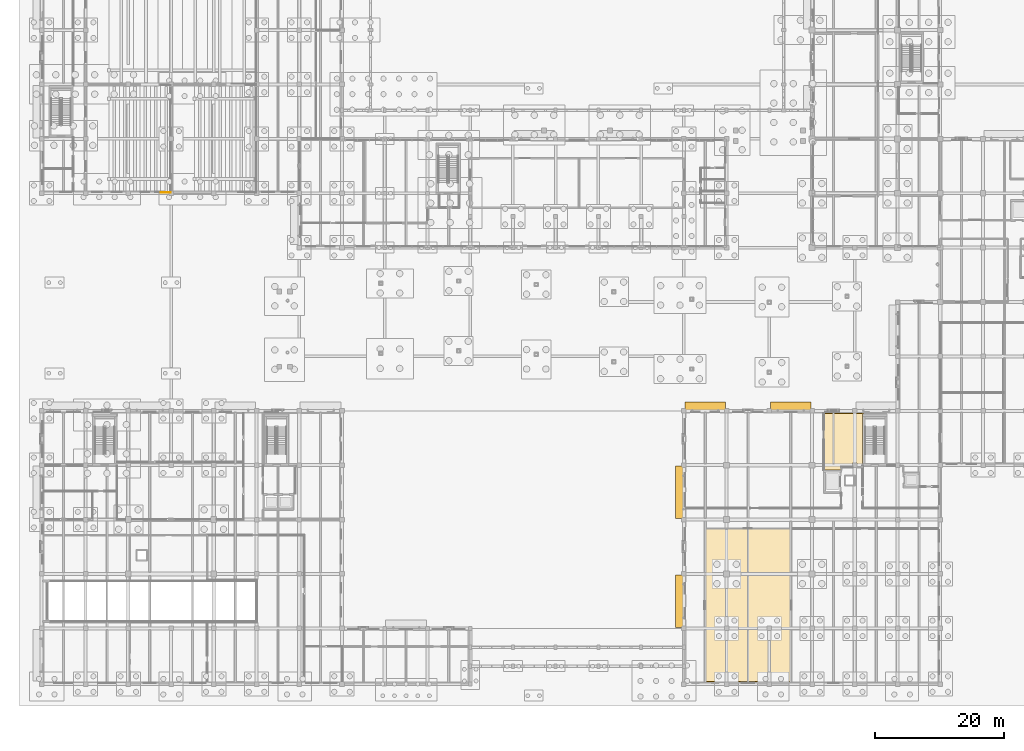
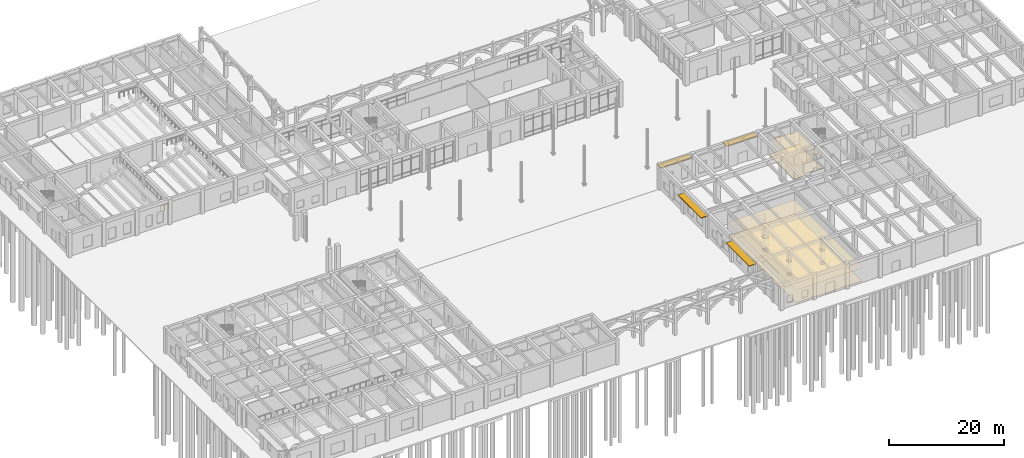
# One storey, part 74 of 82: 4 coverings, 4 shading devices, 1 railing.
"""IFC4 building model written with IfcOpenShell, lengths in metres."""

from ifc_helpers import new_model, si_unit, direction, frame, origin, origin_2d, place, context, subcontext, project, spatial, polyline, rectangle, circle, outline, extrude, material, layer, layer_set, type_object, element, save


model = new_model("IFC4")

# Units and contexts
model_context = context("Model", 3, precision=1e-05, world=origin(), true_north=direction((0.0, 1.0)))
body_context = subcontext(model_context, "Body", "Model", "MODEL_VIEW")
ifc_project = project(units=[si_unit("LENGTHUNIT", "METRE"), si_unit("AREAUNIT", "SQUARE_METRE"), si_unit("VOLUMEUNIT", "CUBIC_METRE"), si_unit("PLANEANGLEUNIT", "RADIAN"), si_unit("MASSUNIT", "GRAM", prefix="KILO")], contexts=[model_context])

# Site, building, storey
site_placement = place(None, origin())
site = spatial("IfcSite", under=ifc_project, at=site_placement, CompositionType="ELEMENT")
building_placement = place(site_placement, origin())
building = spatial("IfcBuilding", under=site, at=building_placement, Name="Kolvaren Faculty of Natural Sciences", CompositionType="ELEMENT")
storey_placement = place(building_placement, origin())
storey = spatial("IfcBuildingStorey", under=building, at=storey_placement, Name="L00", CompositionType="ELEMENT", Elevation=0.0)

# Coverings
ifc_material_1 = material(Name="Perforated mineral-fibre acoustic suspended ceiling tile")
ifc_layer_1 = layer(ifc_material_1, 0.02490234375)
ifc_layer_set_1 = layer_set([ifc_layer_1], Name="Perforated mineral-fibre acoustic suspended ceiling tile")
covering_type_1 = type_object("IfcCoveringType", Name="AcousticSuspendedCeiling_25", PredefinedType="CEILING", material=ifc_layer_set_1)
covering_1_placement = place(storey_placement, frame((0.0, 0.0, 2.824951171875)))
element("IfcCovering", 1, at=covering_1_placement, inside=storey, type_object=covering_type_1, Name="L00 L00 Computational Science Studio acoustic ceiling", PredefinedType="CEILING", context=body_context, shape_type="SweptSolid", body=[
    extrude(outline(polyline([(112.75, 0.260009765625), (112.75, 0.35009765625), (112.050048828125, 0.35009765625), (112.050048828125, 0.260009765625), (106.14990234375, 0.260009765625), (106.14990234375, 0.35009765625), (105.449951171875, 0.35009765625), (105.449951171875, 0.260009765625), (102.320068359375, 0.260009765625), (102.320068359375, 24.080078125), (115.8798828125, 24.080078125), (115.8798828125, 0.260009765625), (112.75, 0.260009765625)]), holes=[polyline([(106.14990234375, 8.949951171875), (105.449951171875, 8.949951171875), (105.449951171875, 8.25), (106.14990234375, 8.25), (106.14990234375, 8.949951171875)]), polyline([(106.25, 17.449951171875), (105.35009765625, 17.449951171875), (105.35009765625, 16.550048828125), (106.25, 16.550048828125), (106.25, 17.449951171875)]), polyline([(112.050048828125, 8.949951171875), (112.050048828125, 8.25), (112.75, 8.25), (112.75, 8.949951171875), (112.050048828125, 8.949951171875)])]), origin(), (0.0, 0.0, 1.0), 0.025146484375),
])
covering_2_placement = place(storey_placement, frame((0.0, 0.0, 2.824951171875)))
element("IfcCovering", 2, at=covering_2_placement, inside=storey, type_object=covering_type_1, Name="L00 L00 Clean Calibration Preparation Room acoustic ceiling", PredefinedType="CEILING", context=body_context, shape_type="SweptSolid", body=[
    extrude(outline(polyline([(125.25, 41.93994140625), (125.25, 41.85009765625), (125.949951171875, 41.85009765625), (125.949951171875, 41.93994140625), (126.929931640625, 41.93994140625), (126.929931640625, 41.594970703125), (126.905029296875, 41.594970703125), (126.905029296875, 33.780029296875), (126.929931640625, 33.780029296875), (126.929931640625, 33.419921875), (123.580078125, 33.419921875), (123.580078125, 32.919921875), (120.719970703125, 32.919921875), (120.719970703125, 41.93994140625), (125.25, 41.93994140625)]), holes=[polyline([(125.949951171875, 34.14990234375), (125.25, 34.14990234375), (125.25, 33.449951171875), (125.949951171875, 33.449951171875), (125.949951171875, 34.14990234375)])]), origin(), (0.0, 0.0, 1.0), 0.025146484375),
])

# Shading devices
ifc_material_2 = material(Name="Precast concrete C35/45", Category="concrete")
ifc_layer_2 = layer(ifc_material_2, 0.1201171875)
ifc_layer_set_2 = layer_set([ifc_layer_2], Name="Precast concrete C35/45")
shading_device_type = type_object("IfcShadingDeviceType", Name="ChhajjaSolarHood_1350", PredefinedType="AWNING", material=ifc_layer_set_2)
for number, where, z_axis, x_axis, name in (
    (3, (98.544921875, 12.800048828125, 4.294921875), (0.0, 0.0, 1.0), (0.0, 1.0, 0.0), "L00 precast sandstone chhajja solar hood 23"),
    (4, (98.544921875, 29.60009765625, 4.294921875), (0.0, 0.0, 1.0), (0.0, 1.0, 0.0), "L00 precast sandstone chhajja solar hood 24"),
):
    element("IfcShadingDevice", number, at=place(storey_placement, frame(where, z_axis=z_axis, x_axis=x_axis)), inside=storey, type_object=shading_device_type, Name=name, PredefinedType="AWNING", context=body_context, shape_type="SweptSolid", body=[
        extrude(rectangle(XDim=8.10009765625, YDim=1.35009765625, at=origin_2d()), origin(), (0.0, 0.0, 1.0), 0.1201171875),
    ])
for number, where, z_axis, x_axis, name in (
    (5, (102.5, 42.85498046875, 4.294921875), (0.0, 0.0, 1.0), (1.0, 0.0, 0.0), "L00 precast sandstone chhajja solar hood 25"),
    (6, (115.699951171875, 42.85498046875, 4.294921875), (0.0, 0.0, 1.0), (1.0, 0.0, 0.0), "L00 precast sandstone chhajja solar hood 26"),
):
    element("IfcShadingDevice", number, at=place(storey_placement, frame(where, z_axis=z_axis, x_axis=x_axis)), inside=storey, type_object=shading_device_type, Name=name, PredefinedType="AWNING", context=body_context, shape_type="SweptSolid", body=[
        extrude(rectangle(XDim=6.300048828125, YDim=1.35009765625, at=origin_2d()), origin(), (0.0, 0.0, 1.0), 0.1201171875),
    ])

# Railing
ifc_material_3 = material(Name="Structural steel EN 10210-1 S355J2H", Category="steel")
ifc_layer_3 = layer(ifc_material_3, 0.048095703125)
ifc_layer_set_3 = layer_set([ifc_layer_3], Name="Structural steel EN 10210-1 S355J2H")
railing_type = type_object("IfcRailingType", Name="GuardRailing_GDVOID1", PredefinedType="BALUSTRADE", material=ifc_layer_set_3)
railing_placement = place(storey_placement, frame((18.39990234375, 75.919921875, 3.1201171875)))
element("IfcRailing", 7, at=railing_placement, inside=storey, type_object=railing_type, Name="L00 LT-2 top tier rear balustrade 49", PredefinedType="BALUSTRADE", context=body_context, shape_type="SweptSolid", body=[
    extrude(circle(Radius=0.02392578125, at=origin_2d()), frame((0.0, 0.0, 1.09619140625), z_axis=(1.0, 0.0, 0.0), x_axis=(0.0, 1.0, 0.0)), (0.0, 0.0, 1.0), 1.52001953125),
    extrude(circle(Radius=0.02099609375, at=origin_2d()), origin(), (0.0, 0.0, 1.0), 1.072021484375),
    extrude(circle(Radius=0.02099609375, at=origin_2d()), frame((0.760009765625, 0.0, 0.0)), (0.0, 0.0, 1.0), 1.072021484375),
    extrude(circle(Radius=0.02099609375, at=origin_2d()), frame((1.52001953125, 0.0, 0.0)), (0.0, 0.0, 1.0), 1.072021484375),
])

# Coverings
ifc_material_4 = material(Name="Seamless chemical-resistant laboratory epoxy resin flooring")
ifc_layer_4 = layer(ifc_material_4, 0.02001953125)
ifc_layer_set_4 = layer_set([ifc_layer_4], Name="Seamless chemical-resistant laboratory epoxy resin flooring")
covering_type_2 = type_object("IfcCoveringType", Name="LabEpoxyFloorFinish_20", PredefinedType="FLOORING", material=ifc_layer_set_4)
covering_3_placement = place(storey_placement, origin())
element("IfcCovering", 8, at=covering_3_placement, inside=storey, type_object=covering_type_2, Name="L00 L00 Computational Science Studio floor finish", PredefinedType="FLOORING", context=body_context, shape_type="SweptSolid", body=[
    extrude(outline(polyline([(115.739990234375, 0.39990234375), (102.4599609375, 0.39990234375), (102.4599609375, 23.93994140625), (115.739990234375, 23.93994140625), (115.739990234375, 0.39990234375)]), holes=[polyline([(106.14990234375, 8.949951171875), (105.449951171875, 8.949951171875), (105.449951171875, 8.25), (106.14990234375, 8.25), (106.14990234375, 8.949951171875)]), polyline([(106.25, 17.449951171875), (105.35009765625, 17.449951171875), (105.35009765625, 16.550048828125), (106.25, 16.550048828125), (106.25, 17.449951171875)]), polyline([(112.050048828125, 8.949951171875), (112.050048828125, 8.25), (112.75, 8.25), (112.75, 8.949951171875), (112.050048828125, 8.949951171875)])]), origin(), (0.0, 0.0, 1.0), 0.02001953125),
])
ifc_material_5 = material(Name="Polished Uruguayan grey granite terrazzo flooring", Category="masonry")
ifc_layer_5 = layer(ifc_material_5, 0.030029296875)
ifc_layer_set_5 = layer_set([ifc_layer_5], Name="Polished Uruguayan grey granite terrazzo flooring")
covering_type_3 = type_object("IfcCoveringType", Name="TerrazzoFloorFinish_30", PredefinedType="FLOORING", material=ifc_layer_set_5)
covering_4_placement = place(storey_placement, origin())
element("IfcCovering", 9, at=covering_4_placement, inside=storey, type_object=covering_type_3, Name="L00 L00 Clean Calibration Preparation Room floor finish", PredefinedType="FLOORING", context=body_context, shape_type="SweptSolid", body=[
    extrude(outline(polyline([(120.860107421875, 41.800048828125), (126.7900390625, 41.800048828125), (126.7900390625, 41.7236328125), (126.786865234375, 41.721435546875), (126.78271484375, 41.71728515625), (126.778564453125, 41.713134765625), (126.775146484375, 41.708251953125), (126.772216796875, 41.703369140625), (126.76953125, 41.697998046875), (126.767578125, 41.6923828125), (126.76611328125, 41.686767578125), (126.765380859375, 41.680908203125), (126.764892578125, 41.675048828125), (126.764892578125, 33.699951171875), (126.765380859375, 33.694091796875), (126.76611328125, 33.688232421875), (126.767578125, 33.6826171875), (126.76953125, 33.677001953125), (126.772216796875, 33.671630859375), (126.775146484375, 33.666748046875), (126.778564453125, 33.661865234375), (126.78271484375, 33.65771484375), (126.786865234375, 33.653564453125), (126.7900390625, 33.6513671875), (126.7900390625, 33.56005859375), (125.949951171875, 33.56005859375), (125.949951171875, 34.14990234375), (125.25, 34.14990234375), (125.25, 33.56005859375), (123.5, 33.56005859375), (123.494140625, 33.559814453125), (123.48828125, 33.558837890625), (123.482666015625, 33.557373046875), (123.47705078125, 33.555419921875), (123.4716796875, 33.552978515625), (123.466796875, 33.5498046875), (123.4619140625, 33.54638671875), (123.45751953125, 33.54248046875), (123.45361328125, 33.5380859375), (123.4501953125, 33.533203125), (123.447021484375, 33.5283203125), (123.444580078125, 33.52294921875), (123.442626953125, 33.517333984375), (123.441162109375, 33.51171875), (123.440185546875, 33.505859375), (123.43994140625, 33.5), (123.43994140625, 33.06005859375), (120.860107421875, 33.06005859375), (120.860107421875, 41.800048828125)])), origin(), (0.0, 0.0, 1.0), 0.030029296875),
])

save(model, "model.ifc")
